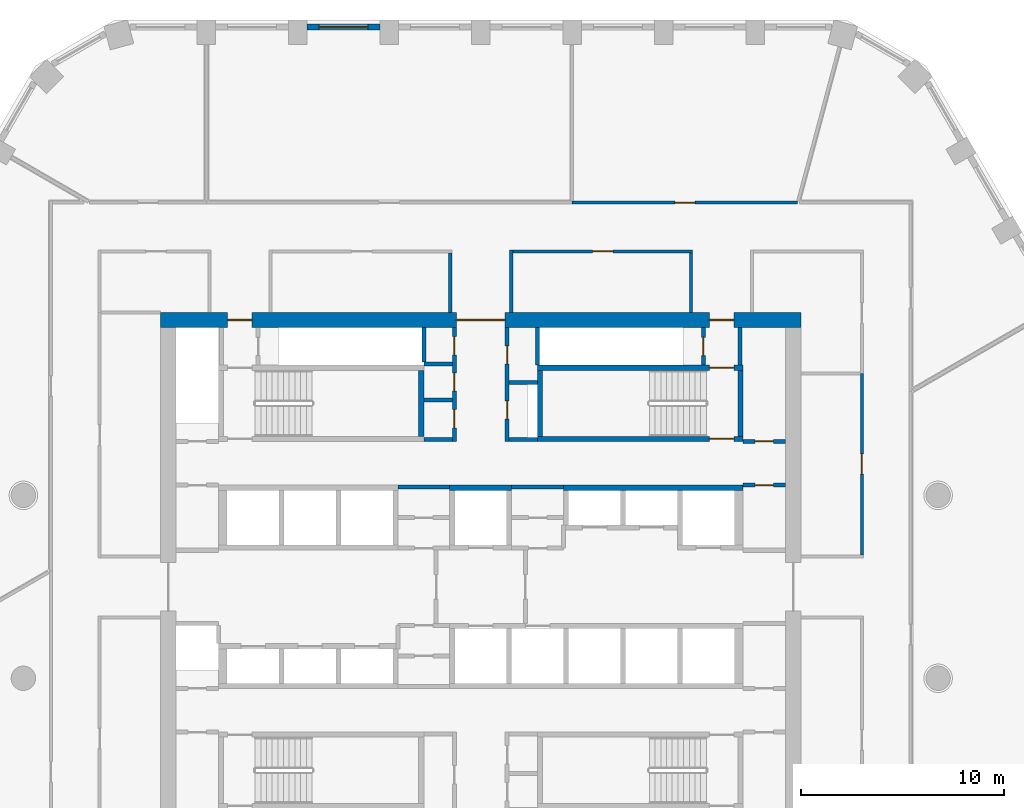
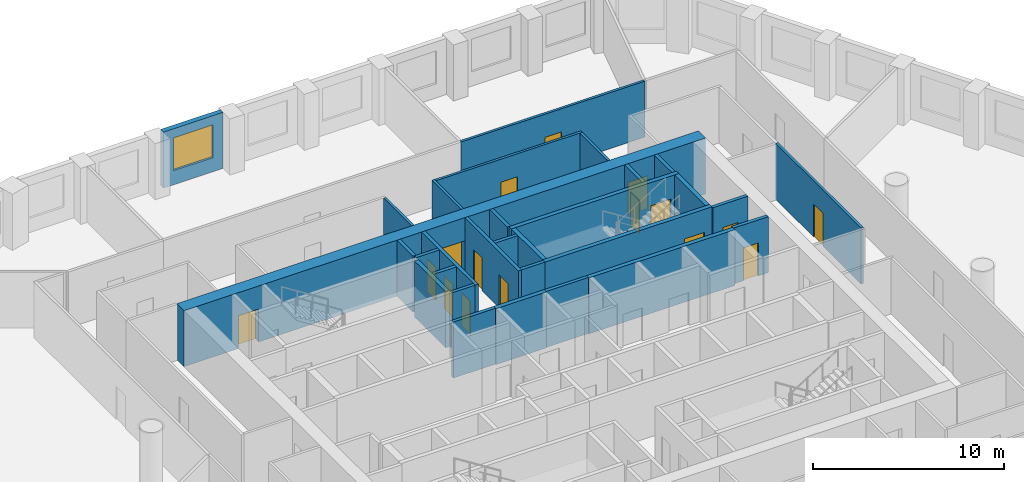
# One storey, part 7 of 14: 30 walls, 16 doors, 1 window, 17 openings.
"""IFC4 building model written with IfcOpenShell, lengths in metres."""

from ifc_helpers import new_model, si_unit, direction, frame, frame_2d, origin, place, context, subcontext, project, spatial, polyline, rectangle, outline, extrude, material, layer, layer_set, type_object, element, fill, save


model = new_model("IFC4")

# Units and contexts
model_context = context("Model", 3, precision=1e-05, world=origin(), true_north=direction((0.0, 1.0)))
body_context = subcontext(model_context, "Body", "Model", "MODEL_VIEW")
ifc_project = project(units=[si_unit("LENGTHUNIT", "METRE"), si_unit("AREAUNIT", "SQUARE_METRE"), si_unit("VOLUMEUNIT", "CUBIC_METRE"), si_unit("PLANEANGLEUNIT", "RADIAN"), si_unit("MASSUNIT", "GRAM", prefix="KILO")], contexts=[model_context])

# Site, building, storey
site_placement = place(None, origin())
site = spatial("IfcSite", under=ifc_project, at=site_placement, CompositionType="ELEMENT")
building_placement = place(site_placement, origin())
building = spatial("IfcBuilding", under=site, at=building_placement, Name="Dhurran Vertical Campus", CompositionType="ELEMENT")
storey_placement = place(building_placement, frame((0.0, 0.0, 140.39990234375)))
storey = spatial("IfcBuildingStorey", under=building, at=storey_placement, Name="L34", CompositionType="ELEMENT", Elevation=140.39990234375)

# Wall, opening, window
ifc_material_1 = material(Name="Precast concrete C50/60", Category="concrete")
ifc_layer_1 = layer(ifc_material_1, 0.300048828125)
ifc_layer_set_1 = layer_set([ifc_layer_1], Name="Precast concrete C50/60")
wall_type_1 = type_object("IfcWallType", Name="Precast spandrel wall 300", PredefinedType="SOLIDWALL", material=ifc_layer_set_1)
wall_1_placement = place(storey_placement, frame((-4.950439453125, 27.53271484375, 0.0), z_axis=(0.0, 0.0, 1.0), x_axis=(-1.0, 0.0, 0.0)))
wall_1 = element("IfcWall", 1, at=wall_1_placement, inside=storey, type_object=wall_type_1, Name="EW1 L34.28", PredefinedType="SOLIDWALL", context=body_context, shape_type="SweptSolid", body=[
    extrude(rectangle(XDim=3.59912109375, YDim=0.300048828125, at=frame_2d((1.799560546875, 0.0))), origin(), (0.0, 0.0, 1.0), 3.5751953125),
])
opening_1_placement = place(wall_1_placement, frame((0.599609375, 0.0, 0.89990234375)))
opening_1 = element("IfcOpeningElement", 2, at=opening_1_placement, cuts=wall_1, Name="Opening WT1", PredefinedType="OPENING", context=body_context, shape_type="SweptSolid", body=[
    extrude(rectangle(XDim=2.39990234375, YDim=2.10009765625, at=frame_2d((1.199951171875, 1.050048828125))), frame((0.0, 0.159912109375, 0.0), z_axis=(0.0, -1.0, 0.0), x_axis=(1.0, 0.0, 0.0)), (0.0, 0.0, 1.0), 0.320068359375),
])
ifc_material_2 = material(Name="Aluminium frame with solar-control glass", Category="aluminium")
window_type = type_object("IfcWindowType", Name="Punched window 2400 x 2100", PartitioningType="SINGLE_PANEL", PredefinedType="WINDOW", material=ifc_material_2)
window_placement = place(opening_1_placement, origin())
window = element("IfcWindow", 3, at=window_placement, inside=storey, type_object=window_type, Name="WT1 L34.28", OverallHeight=2.10009765625, OverallWidth=2.39990234375, PartitioningType="SINGLE_PANEL", PredefinedType="WINDOW", context=body_context, shape_type="SweptSolid", body=[
    extrude(rectangle(XDim=2.39990234375, YDim=2.10009765625, at=frame_2d((1.199951171875, 1.050048828125))), frame((0.0, 0.030029296875, 0.0), z_axis=(0.0, -1.0, 0.0), x_axis=(1.0, 0.0, 0.0)), (0.0, 0.0, 1.0), 0.06005859375),
])
fill(opening_1, window)

# Wall, openings, doors
ifc_material_3 = material(Name="Concrete C60/75", Category="concrete")
ifc_layer_2 = layer(ifc_material_3, 0.75)
ifc_layer_set_2 = layer_set([ifc_layer_2], Name="Concrete C60/75")
wall_type_2 = type_object("IfcWallType", Name="co-CORE-WALL-C1-750", PredefinedType="SHEAR", material=ifc_layer_set_2)
wall_2_placement = place(storey_placement, frame((-15.75, 13.125, 0.0), z_axis=(0.0, 0.0, 1.0), x_axis=(1.0, 0.0, 0.0)))
wall_2 = element("IfcWall", 4, at=wall_2_placement, inside=storey, type_object=wall_type_2, Name="Core wall N L34", PredefinedType="SHEAR", context=body_context, shape_type="SweptSolid", body=[
    extrude(rectangle(XDim=31.5, YDim=0.75, at=frame_2d((15.75, 0.0))), origin(), (0.0, 0.0, 1.0), 3.5751953125),
])
opening_2_placement = place(wall_2_placement, frame((14.550048828125, 0.0, 0.0)))
opening_2 = element("IfcOpeningElement", 5, at=opening_2_placement, cuts=wall_2, Name="Opening CV1", PredefinedType="OPENING", context=body_context, shape_type="SweptSolid", body=[
    extrude(rectangle(XDim=2.39990234375, YDim=2.10009765625, at=frame_2d((1.199951171875, 1.050048828125))), frame((0.0, 0.385009765625, 0.0), z_axis=(0.0, -1.0, 0.0), x_axis=(1.0, 0.0, 0.0)), (0.0, 0.0, 1.0), 0.77001953125),
])
opening_3_placement = place(wall_2_placement, frame((3.300048828125, 0.0, 0.0)))
opening_3 = element("IfcOpeningElement", 6, at=opening_3_placement, cuts=wall_2, Name="Opening XD1", PredefinedType="OPENING", context=body_context, shape_type="SweptSolid", body=[
    extrude(rectangle(XDim=1.199951171875, YDim=2.10009765625, at=frame_2d((0.60009765625, 1.050048828125))), frame((0.0, 0.385009765625, 0.0), z_axis=(0.0, -1.0, 0.0), x_axis=(1.0, 0.0, 0.0)), (0.0, 0.0, 1.0), 0.77001953125),
])
opening_4_placement = place(wall_2_placement, frame((27.0, 0.0, 0.0)))
opening_4 = element("IfcOpeningElement", 7, at=opening_4_placement, cuts=wall_2, Name="Opening XD2", PredefinedType="OPENING", context=body_context, shape_type="SweptSolid", body=[
    extrude(rectangle(XDim=1.199951171875, YDim=2.10009765625, at=frame_2d((0.60009765625, 1.050048828125))), frame((0.0, 0.385009765625, 0.0), z_axis=(0.0, -1.0, 0.0), x_axis=(1.0, 0.0, 0.0)), (0.0, 0.0, 1.0), 0.77001953125),
])
ifc_material_4 = material(Name="Fire-rated glazed door set")
door_type_1 = type_object("IfcDoorType", Name="co-D-LOBBY 2400x2100", OperationType="DOUBLE_DOOR_DOUBLE_SWING", PredefinedType="DOOR", material=ifc_material_4)
door_1_placement = place(opening_2_placement, origin())
door_1 = element("IfcDoor", 8, at=door_1_placement, inside=storey, type_object=door_type_1, Name="Core vestibule door N L34", OperationType="DOUBLE_DOOR_DOUBLE_SWING", OverallHeight=2.10009765625, OverallWidth=2.39990234375, PredefinedType="DOOR", context=body_context, shape_type="SweptSolid", body=[
    extrude(rectangle(XDim=2.39990234375, YDim=2.10009765625, at=frame_2d((1.199951171875, 1.050048828125))), frame((0.0, 0.02490234375, 0.0), z_axis=(0.0, -1.0, 0.0), x_axis=(1.0, 0.0, 0.0)), (0.0, 0.0, 1.0), 0.050048828125),
])
fill(opening_2, door_1)
ifc_material_5 = material(Name="Fire-rated steel door set", Category="steel")
door_type_2 = type_object("IfcDoorType", Name="co-D-STAIR-EXIT 1200x2100", OperationType="SINGLE_SWING_RIGHT", PredefinedType="DOOR", material=ifc_material_5)
door_2_placement = place(opening_3_placement, origin())
door_2 = element("IfcDoor", 9, at=door_2_placement, inside=storey, type_object=door_type_2, Name="Stair ST1 exit door L34", OperationType="SINGLE_SWING_RIGHT", OverallHeight=2.10009765625, OverallWidth=1.199951171875, PredefinedType="DOOR", context=body_context, shape_type="SweptSolid", body=[
    extrude(rectangle(XDim=1.199951171875, YDim=2.10009765625, at=frame_2d((0.60009765625, 1.050048828125))), frame((0.0, 0.02490234375, 0.0), z_axis=(0.0, -1.0, 0.0), x_axis=(1.0, 0.0, 0.0)), (0.0, 0.0, 1.0), 0.050048828125),
])
fill(opening_3, door_2)
door_3_placement = place(opening_4_placement, origin())
door_3 = element("IfcDoor", 10, at=door_3_placement, inside=storey, type_object=door_type_2, Name="Stair ST2 exit door L34", OperationType="SINGLE_SWING_RIGHT", OverallHeight=2.10009765625, OverallWidth=1.199951171875, PredefinedType="DOOR", context=body_context, shape_type="SweptSolid", body=[
    extrude(rectangle(XDim=1.199951171875, YDim=2.10009765625, at=frame_2d((0.60009765625, 1.050048828125))), frame((0.0, 0.02490234375, 0.0), z_axis=(0.0, -1.0, 0.0), x_axis=(1.0, 0.0, 0.0)), (0.0, 0.0, 1.0), 0.050048828125),
])
fill(opening_4, door_3)

# Walls
ifc_material_6 = material(Name="Fire-rated masonry blockwork", Category="masonry")
ifc_layer_3 = layer(ifc_material_6, 0.199951171875)
ifc_layer_set_3 = layer_set([ifc_layer_3], Name="Fire-rated masonry blockwork")
wall_type_3 = type_object("IfcWallType", Name="co-FIRE-PARTITION-200", PredefinedType="PARTITIONING", material=ifc_layer_set_3)
for number, where, z_axis, x_axis, name in (
    (11, (-2.800048828125, 7.25, 0.0), (0.0, 0.0, 1.0), (1.0, 0.0, 0.0), "Core partition sl-NW-S L34"),
    (12, (-2.800048828125, 9.18603515625, 0.0), (0.0, 0.0, 1.0), (1.0, 0.0, 0.0), "Core partition sl-NW-cut0 L34"),
    (13, (-2.800048828125, 10.968017578125, 0.0), (0.0, 0.0, 1.0), (1.0, 0.0, 0.0), "Core partition sl-NW-cut1 L34"),
    (14, (1.39990234375, 7.25, 0.0), (0.0, 0.0, 1.0), (1.0, 0.0, 0.0), "Core partition sl-NE-S L34"),
    (15, (1.39990234375, 10.050048828125, 0.0), (0.0, 0.0, 1.0), (1.0, 0.0, 0.0), "Core partition sl-NE-cut0 L34"),
):
    element("IfcWall", number, at=place(storey_placement, frame(where, z_axis=z_axis, x_axis=x_axis)), inside=storey, type_object=wall_type_3, Name=name, PredefinedType="PARTITIONING", context=body_context, shape_type="SweptSolid", body=[
        extrude(rectangle(XDim=1.400146484375, YDim=0.199951171875, at=frame_2d((0.7001953125, 0.0))), origin(), (0.0, 0.0, 1.0), 3.5751953125),
    ])

# Wall, openings, doors
wall_3_placement = place(storey_placement, frame((-1.300048828125, 7.14990234375, 0.0), z_axis=(0.0, 0.0, 1.0), x_axis=(0.0, 1.0, 0.0)))
wall_3 = element("IfcWall", 16, at=wall_3_placement, inside=storey, type_object=wall_type_3, Name="Core partition vest-NW L34", PredefinedType="PARTITIONING", context=body_context, shape_type="SweptSolid", body=[
    extrude(rectangle(XDim=5.60009765625, YDim=0.199951171875, at=frame_2d((2.800048828125, 0.0))), origin(), (0.0, 0.0, 1.0), 3.5751953125),
])
opening_5_placement = place(wall_3_placement, frame((0.66796875, 0.0, 0.0)))
opening_5 = element("IfcOpeningElement", 17, at=opening_5_placement, cuts=wall_3, Name="Opening T09-C6", PredefinedType="OPENING", context=body_context, shape_type="SweptSolid", body=[
    extrude(rectangle(XDim=0.89990234375, YDim=2.10009765625, at=frame_2d((0.449951171875, 1.050048828125))), frame((0.0, 0.10986328125, 0.0), z_axis=(0.0, -1.0, 0.0), x_axis=(1.0, 0.0, 0.0)), (0.0, 0.0, 1.0), 0.219970703125),
])
opening_6_placement = place(wall_3_placement, frame((2.47705078125, 0.0, 0.0)))
opening_6 = element("IfcOpeningElement", 18, at=opening_6_placement, cuts=wall_3, Name="Opening T09-C7", PredefinedType="OPENING", context=body_context, shape_type="SweptSolid", body=[
    extrude(rectangle(XDim=0.89990234375, YDim=2.10009765625, at=frame_2d((0.449951171875, 1.050048828125))), frame((0.0, 0.10986328125, 0.0), z_axis=(0.0, -1.0, 0.0), x_axis=(1.0, 0.0, 0.0)), (0.0, 0.0, 1.0), 0.219970703125),
])
opening_7_placement = place(wall_3_placement, frame((4.259033203125, 0.0, 0.0)))
opening_7 = element("IfcOpeningElement", 19, at=opening_7_placement, cuts=wall_3, Name="Opening T09-C8", PredefinedType="OPENING", context=body_context, shape_type="SweptSolid", body=[
    extrude(rectangle(XDim=0.89990234375, YDim=2.10009765625, at=frame_2d((0.449951171875, 1.050048828125))), frame((0.0, 0.10986328125, 0.0), z_axis=(0.0, -1.0, 0.0), x_axis=(1.0, 0.0, 0.0)), (0.0, 0.0, 1.0), 0.219970703125),
])
ifc_material_7 = material(Name="Fire-rated timber door set", Category="wood")
door_type_3 = type_object("IfcDoorType", Name="co-D-ROOM 900x2100", OperationType="SINGLE_SWING_LEFT", PredefinedType="DOOR", material=ifc_material_7)
door_4_placement = place(opening_5_placement, origin())
door_4 = element("IfcDoor", 20, at=door_4_placement, inside=storey, type_object=door_type_3, Name="Cleaner's store door L34", OperationType="SINGLE_SWING_LEFT", OverallHeight=2.10009765625, OverallWidth=0.89990234375, PredefinedType="DOOR", context=body_context, shape_type="SweptSolid", body=[
    extrude(rectangle(XDim=0.89990234375, YDim=2.10009765625, at=frame_2d((0.449951171875, 1.050048828125))), frame((0.0, 0.02490234375, 0.0), z_axis=(0.0, -1.0, 0.0), x_axis=(1.0, 0.0, 0.0)), (0.0, 0.0, 1.0), 0.050048828125),
])
fill(opening_5, door_4)
door_5_placement = place(opening_6_placement, origin())
door_5 = element("IfcDoor", 21, at=door_5_placement, inside=storey, type_object=door_type_3, Name="Store door L34", OperationType="SINGLE_SWING_LEFT", OverallHeight=2.10009765625, OverallWidth=0.89990234375, PredefinedType="DOOR", context=body_context, shape_type="SweptSolid", body=[
    extrude(rectangle(XDim=0.89990234375, YDim=2.10009765625, at=frame_2d((0.449951171875, 1.050048828125))), frame((0.0, 0.02490234375, 0.0), z_axis=(0.0, -1.0, 0.0), x_axis=(1.0, 0.0, 0.0)), (0.0, 0.0, 1.0), 0.050048828125),
])
fill(opening_6, door_5)
door_6_placement = place(opening_7_placement, origin())
door_6 = element("IfcDoor", 22, at=door_6_placement, inside=storey, type_object=door_type_3, Name="Housekeeping store door L34", OperationType="SINGLE_SWING_LEFT", OverallHeight=2.10009765625, OverallWidth=0.89990234375, PredefinedType="DOOR", context=body_context, shape_type="SweptSolid", body=[
    extrude(rectangle(XDim=0.89990234375, YDim=2.10009765625, at=frame_2d((0.449951171875, 1.050048828125))), frame((0.0, 0.02490234375, 0.0), z_axis=(0.0, -1.0, 0.0), x_axis=(1.0, 0.0, 0.0)), (0.0, 0.0, 1.0), 0.050048828125),
])
fill(opening_7, door_6)

wall_4_placement = place(storey_placement, frame((1.300048828125, 7.14990234375, 0.0), z_axis=(0.0, 0.0, 1.0), x_axis=(0.0, 1.0, 0.0)))
wall_4 = element("IfcWall", 23, at=wall_4_placement, inside=storey, type_object=wall_type_3, Name="Core partition vest-NE L34", PredefinedType="PARTITIONING", context=body_context, shape_type="SweptSolid", body=[
    extrude(rectangle(XDim=5.60009765625, YDim=0.199951171875, at=frame_2d((2.800048828125, 0.0))), origin(), (0.0, 0.0, 1.0), 3.5751953125),
])
opening_8_placement = place(wall_4_placement, frame((1.10009765625, 0.0, 0.0)))
opening_8 = element("IfcOpeningElement", 24, at=opening_8_placement, cuts=wall_4, Name="Opening T09-C9", PredefinedType="OPENING", context=body_context, shape_type="SweptSolid", body=[
    extrude(rectangle(XDim=0.89990234375, YDim=2.10009765625, at=frame_2d((0.449951171875, 1.050048828125))), frame((0.0, 0.10986328125, 0.0), z_axis=(0.0, -1.0, 0.0), x_axis=(1.0, 0.0, 0.0)), (0.0, 0.0, 1.0), 0.219970703125),
])
opening_9_placement = place(wall_4_placement, frame((3.800048828125, 0.0, 0.0)))
opening_9 = element("IfcOpeningElement", 25, at=opening_9_placement, cuts=wall_4, Name="Opening T09-C10", PredefinedType="OPENING", context=body_context, shape_type="SweptSolid", body=[
    extrude(rectangle(XDim=0.89990234375, YDim=2.10009765625, at=frame_2d((0.449951171875, 1.050048828125))), frame((0.0, 0.10986328125, 0.0), z_axis=(0.0, -1.0, 0.0), x_axis=(1.0, 0.0, 0.0)), (0.0, 0.0, 1.0), 0.219970703125),
])
door_7_placement = place(opening_8_placement, origin())
door_7 = element("IfcDoor", 26, at=door_7_placement, inside=storey, type_object=door_type_3, Name="Water riser door L34", OperationType="SINGLE_SWING_LEFT", OverallHeight=2.10009765625, OverallWidth=0.89990234375, PredefinedType="DOOR", context=body_context, shape_type="SweptSolid", body=[
    extrude(rectangle(XDim=0.89990234375, YDim=2.10009765625, at=frame_2d((0.449951171875, 1.050048828125))), frame((0.0, 0.02490234375, 0.0), z_axis=(0.0, -1.0, 0.0), x_axis=(1.0, 0.0, 0.0)), (0.0, 0.0, 1.0), 0.050048828125),
])
fill(opening_8, door_7)
door_8_placement = place(opening_9_placement, origin())
door_8 = element("IfcDoor", 27, at=door_8_placement, inside=storey, type_object=door_type_3, Name="Plant room door L34", OperationType="SINGLE_SWING_LEFT", OverallHeight=2.10009765625, OverallWidth=0.89990234375, PredefinedType="DOOR", context=body_context, shape_type="SweptSolid", body=[
    extrude(rectangle(XDim=0.89990234375, YDim=2.10009765625, at=frame_2d((0.449951171875, 1.050048828125))), frame((0.0, 0.02490234375, 0.0), z_axis=(0.0, -1.0, 0.0), x_axis=(1.0, 0.0, 0.0)), (0.0, 0.0, 1.0), 0.050048828125),
])
fill(opening_9, door_8)

# Wall
wall_5_placement = place(storey_placement, frame((12.75, 10.89990234375, 0.0), z_axis=(0.0, 0.0, 1.0), x_axis=(0.0, 1.0, 0.0)))
element("IfcWall", 28, at=wall_5_placement, inside=storey, type_object=wall_type_3, Name="Core partition pass-ST2-o L34", PredefinedType="PARTITIONING", context=body_context, shape_type="SweptSolid", body=[
    extrude(rectangle(XDim=1.85009765625, YDim=0.199951171875, at=frame_2d((0.925048828125, 0.0))), origin(), (0.0, 0.0, 1.0), 3.5751953125),
])

# Wall, opening, door
wall_6_placement = place(storey_placement, frame((10.949951171875, 10.89990234375, 0.0), z_axis=(0.0, 0.0, 1.0), x_axis=(0.0, 1.0, 0.0)))
wall_6 = element("IfcWall", 29, at=wall_6_placement, inside=storey, type_object=wall_type_3, Name="Core partition pass-ST2-i L34", PredefinedType="PARTITIONING", context=body_context, shape_type="SweptSolid", body=[
    extrude(rectangle(XDim=1.85009765625, YDim=0.199951171875, at=frame_2d((0.925048828125, 0.0))), origin(), (0.0, 0.0, 1.0), 3.5751953125),
])
opening_10_placement = place(wall_6_placement, frame((0.47509765625, 0.0, 0.0)))
opening_10 = element("IfcOpeningElement", 30, at=opening_10_placement, cuts=wall_6, Name="Opening T09-C12", PredefinedType="OPENING", context=body_context, shape_type="SweptSolid", body=[
    extrude(rectangle(XDim=0.89990234375, YDim=2.10009765625, at=frame_2d((0.449951171875, 1.050048828125))), frame((0.0, 0.10986328125, 0.0), z_axis=(0.0, -1.0, 0.0), x_axis=(1.0, 0.0, 0.0)), (0.0, 0.0, 1.0), 0.219970703125),
])
door_9_placement = place(opening_10_placement, origin())
door_9 = element("IfcDoor", 31, at=door_9_placement, inside=storey, type_object=door_type_3, Name="Riser room door L34", OperationType="SINGLE_SWING_LEFT", OverallHeight=2.10009765625, OverallWidth=0.89990234375, PredefinedType="DOOR", context=body_context, shape_type="SweptSolid", body=[
    extrude(rectangle(XDim=0.89990234375, YDim=2.10009765625, at=frame_2d((0.449951171875, 1.050048828125))), frame((0.0, 0.02490234375, 0.0), z_axis=(0.0, -1.0, 0.0), x_axis=(1.0, 0.0, 0.0)), (0.0, 0.0, 1.0), 0.050048828125),
])
fill(opening_10, door_9)

wall_7_placement = place(storey_placement, frame((12.89990234375, 7.14990234375, 0.0), z_axis=(0.0, 0.0, 1.0), x_axis=(1.0, 0.0, 0.0)))
wall_7 = element("IfcWall", 32, at=wall_7_placement, inside=storey, type_object=wall_type_3, Name="Core partition en-NE-w L34", PredefinedType="PARTITIONING", context=body_context, shape_type="SweptSolid", body=[
    extrude(rectangle(XDim=2.10009765625, YDim=0.199951171875, at=frame_2d((1.050048828125, 0.0))), origin(), (0.0, 0.0, 1.0), 3.5751953125),
])
opening_11_placement = place(wall_7_placement, frame((0.60009765625, 0.0, 0.0)))
opening_11 = element("IfcOpeningElement", 33, at=opening_11_placement, cuts=wall_7, Name="Opening T09-C17", PredefinedType="OPENING", context=body_context, shape_type="SweptSolid", body=[
    extrude(rectangle(XDim=0.89990234375, YDim=2.10009765625, at=frame_2d((0.449951171875, 1.050048828125))), frame((0.0, 0.10986328125, 0.0), z_axis=(0.0, -1.0, 0.0), x_axis=(1.0, 0.0, 0.0)), (0.0, 0.0, 1.0), 0.219970703125),
])
door_10_placement = place(opening_11_placement, origin())
door_10 = element("IfcDoor", 34, at=door_10_placement, inside=storey, type_object=door_type_3, Name="Server room door L34", OperationType="SINGLE_SWING_LEFT", OverallHeight=2.10009765625, OverallWidth=0.89990234375, PredefinedType="DOOR", context=body_context, shape_type="SweptSolid", body=[
    extrude(rectangle(XDim=0.89990234375, YDim=2.10009765625, at=frame_2d((0.449951171875, 1.050048828125))), frame((0.0, 0.02490234375, 0.0), z_axis=(0.0, -1.0, 0.0), x_axis=(1.0, 0.0, 0.0)), (0.0, 0.0, 1.0), 0.050048828125),
])
fill(opening_11, door_10)

wall_8_placement = place(storey_placement, frame((12.89990234375, 5.0, 0.0), z_axis=(0.0, 0.0, 1.0), x_axis=(1.0, 0.0, 0.0)))
wall_8 = element("IfcWall", 35, at=wall_8_placement, inside=storey, type_object=wall_type_3, Name="Core partition es-NE-w L34", PredefinedType="PARTITIONING", context=body_context, shape_type="SweptSolid", body=[
    extrude(rectangle(XDim=2.10009765625, YDim=0.199951171875, at=frame_2d((1.050048828125, 0.0))), origin(), (0.0, 0.0, 1.0), 3.5751953125),
])
opening_12_placement = place(wall_8_placement, frame((0.60009765625, 0.0, 0.0)))
opening_12 = element("IfcOpeningElement", 36, at=opening_12_placement, cuts=wall_8, Name="Opening T09-C18", PredefinedType="OPENING", context=body_context, shape_type="SweptSolid", body=[
    extrude(rectangle(XDim=0.89990234375, YDim=2.10009765625, at=frame_2d((0.449951171875, 1.050048828125))), frame((0.0, 0.10986328125, 0.0), z_axis=(0.0, -1.0, 0.0), x_axis=(1.0, 0.0, 0.0)), (0.0, 0.0, 1.0), 0.219970703125),
])
door_11_placement = place(opening_12_placement, origin())
door_11 = element("IfcDoor", 37, at=door_11_placement, inside=storey, type_object=door_type_3, Name="Communications room door L34", OperationType="SINGLE_SWING_LEFT", OverallHeight=2.10009765625, OverallWidth=0.89990234375, PredefinedType="DOOR", context=body_context, shape_type="SweptSolid", body=[
    extrude(rectangle(XDim=0.89990234375, YDim=2.10009765625, at=frame_2d((0.449951171875, 1.050048828125))), frame((0.0, 0.02490234375, 0.0), z_axis=(0.0, -1.0, 0.0), x_axis=(1.0, 0.0, 0.0)), (0.0, 0.0, 1.0), 0.050048828125),
])
fill(opening_12, door_11)

# Walls
for number, where, z_axis, x_axis, name in (
    (38, (-4.074951171875, 4.89990234375, 0.0), (0.0, 0.0, 1.0), (1.0, 0.0, 0.0), "Core partition fr-N0-b L34"),
    (39, (1.52490234375, 4.89990234375, 0.0), (0.0, 0.0, 1.0), (1.0, 0.0, 0.0), "Core partition fr-N1-b L34"),
):
    element("IfcWall", number, at=place(storey_placement, frame(where, z_axis=z_axis, x_axis=x_axis)), inside=storey, type_object=wall_type_3, Name=name, PredefinedType="PARTITIONING", context=body_context, shape_type="SweptSolid", body=[
        extrude(rectangle(XDim=2.550048828125, YDim=0.199951171875, at=frame_2d((1.27490234375, 0.0))), origin(), (0.0, 0.0, 1.0), 3.5751953125),
    ])
wall_9_placement = place(storey_placement, frame((-2.800048828125, 11.069091796875, 0.0), z_axis=(0.0, 0.0, 1.0), x_axis=(0.0, 1.0, 0.0)))
element("IfcWall", 40, at=wall_9_placement, inside=storey, type_object=wall_type_3, Name="Riser enclosure wall L34", PredefinedType="PARTITIONING", context=body_context, shape_type="SweptSolid", body=[
    extrude(rectangle(XDim=1.679931640625, YDim=0.199951171875, at=frame_2d((0.83984375, 0.0))), origin(), (0.0, 0.0, 1.0), 3.5751953125),
])
wall_10_placement = place(storey_placement, frame((2.800048828125, 12.7490234375, 0.0), z_axis=(0.0, 0.0, 1.0), x_axis=(0.0, -1.0, 0.0)))
element("IfcWall", 41, at=wall_10_placement, inside=storey, type_object=wall_type_3, Name="Riser enclosure wall L34", PredefinedType="PARTITIONING", context=body_context, shape_type="SweptSolid", body=[
    extrude(rectangle(XDim=1.84814453125, YDim=0.199951171875, at=frame_2d((0.924072265625, 0.0))), origin(), (0.0, 0.0, 1.0), 3.5751953125),
])
ifc_material_8 = material(Name="Concrete C50/60", Category="concrete")
ifc_layer_4 = layer(ifc_material_8, 0.25)
ifc_layer_set_4 = layer_set([ifc_layer_4], Name="Concrete C50/60")
wall_type_4 = type_object("IfcWallType", Name="co-SHAFT-MASS-250", PredefinedType="SHEAR", material=ifc_layer_set_4)
wall_11_placement = place(storey_placement, origin())
element("IfcWall", 42, at=wall_11_placement, inside=storey, type_object=wall_type_4, Name="Lift shaft wall N L34 2", PredefinedType="SHEAR", context=body_context, shape_type="SweptSolid", body=[
    extrude(outline(polyline([(-1.52490234375, 4.75), (1.52490234375, 4.75), (1.52490234375, 5.0), (-1.52490234375, 5.0), (-1.52490234375, 4.75)])), origin(), (0.0, 0.0, 1.0), 3.5751953125),
])
wall_12_placement = place(storey_placement, origin())
element("IfcWall", 43, at=wall_12_placement, inside=storey, type_object=wall_type_4, Name="Lift shaft wall N L34 3", PredefinedType="SHEAR", context=body_context, shape_type="SweptSolid", body=[
    extrude(outline(polyline([(4.074951171875, 4.75), (12.89990234375, 4.75), (12.89990234375, 5.0), (4.074951171875, 5.0), (4.074951171875, 4.75)])), origin(), (0.0, 0.0, 1.0), 3.5751953125),
])
ifc_material_9 = material(Name="Concrete C40/50", Category="concrete")
ifc_layer_5 = layer(ifc_material_9, 0.25)
ifc_layer_set_5 = layer_set([ifc_layer_5], Name="Concrete C40/50")
wall_type_5 = type_object("IfcWallType", Name="co-STAIR-WALL-250", PredefinedType="SHEAR", material=ifc_layer_set_5)
wall_13_placement = place(storey_placement, frame((-2.925048828125, 7.39990234375, 0.0), z_axis=(0.0, 0.0, 1.0), x_axis=(0.0, 1.0, 0.0)))
element("IfcWall", 44, at=wall_13_placement, inside=storey, type_object=wall_type_5, Name="Stair ST1 enclosure wall L34", PredefinedType="SHEAR", context=body_context, shape_type="SweptSolid", body=[
    extrude(rectangle(XDim=3.25, YDim=0.25, at=frame_2d((1.625, 0.0))), origin(), (0.0, 0.0, 1.0), 3.5751953125),
])

# Wall, opening, door
wall_14_placement = place(storey_placement, frame((2.800048828125, 7.27490234375, 0.0), z_axis=(0.0, 0.0, 1.0), x_axis=(1.0, 0.0, 0.0)))
wall_14 = element("IfcWall", 45, at=wall_14_placement, inside=storey, type_object=wall_type_5, Name="Stair ST2 enclosure wall L34", PredefinedType="SHEAR", context=body_context, shape_type="SweptSolid", body=[
    extrude(rectangle(XDim=10.099853515625, YDim=0.25, at=frame_2d((5.0498046875, 0.0))), origin(), (0.0, 0.0, 1.0), 3.5751953125),
])
opening_13_placement = place(wall_14_placement, frame((8.449951171875, 0.0, 0.0)))
opening_13 = element("IfcOpeningElement", 46, at=opening_13_placement, cuts=wall_14, Name="Opening SD2", PredefinedType="OPENING", context=body_context, shape_type="SweptSolid", body=[
    extrude(rectangle(XDim=1.199951171875, YDim=2.10009765625, at=frame_2d((0.60009765625, 1.050048828125))), frame((0.0, 0.135009765625, 0.0), z_axis=(0.0, -1.0, 0.0), x_axis=(1.0, 0.0, 0.0)), (0.0, 0.0, 1.0), 0.27001953125),
])
ifc_material_10 = material(Name="Fire-rated steel door set", Category="steel")
door_type_4 = type_object("IfcDoorType", Name="co-D-STAIR 1200x2100", OperationType="SINGLE_SWING_LEFT", PredefinedType="DOOR", material=ifc_material_10)
door_12_placement = place(opening_13_placement, origin())
door_12 = element("IfcDoor", 47, at=door_12_placement, inside=storey, type_object=door_type_4, Name="Stair ST2 door L34", OperationType="SINGLE_SWING_LEFT", OverallHeight=2.10009765625, OverallWidth=1.199951171875, PredefinedType="DOOR", context=body_context, shape_type="SweptSolid", body=[
    extrude(rectangle(XDim=1.199951171875, YDim=2.10009765625, at=frame_2d((0.60009765625, 1.050048828125))), frame((0.0, 0.02490234375, 0.0), z_axis=(0.0, -1.0, 0.0), x_axis=(1.0, 0.0, 0.0)), (0.0, 0.0, 1.0), 0.050048828125),
])
fill(opening_13, door_12)

wall_15_placement = place(storey_placement, frame((2.800048828125, 10.77490234375, 0.0), z_axis=(0.0, 0.0, 1.0), x_axis=(1.0, 0.0, 0.0)))
wall_15 = element("IfcWall", 48, at=wall_15_placement, inside=storey, type_object=wall_type_5, Name="Stair ST2 enclosure wall L34", PredefinedType="SHEAR", context=body_context, shape_type="SweptSolid", body=[
    extrude(rectangle(XDim=10.099853515625, YDim=0.25, at=frame_2d((5.0498046875, 0.0))), origin(), (0.0, 0.0, 1.0), 3.5751953125),
])
opening_14_placement = place(wall_15_placement, frame((8.449951171875, 0.0, 0.0)))
opening_14 = element("IfcOpeningElement", 49, at=opening_14_placement, cuts=wall_15, Name="Opening XS2", PredefinedType="OPENING", context=body_context, shape_type="SweptSolid", body=[
    extrude(rectangle(XDim=1.199951171875, YDim=2.10009765625, at=frame_2d((0.60009765625, 1.050048828125))), frame((0.0, 0.135009765625, 0.0), z_axis=(0.0, -1.0, 0.0), x_axis=(1.0, 0.0, 0.0)), (0.0, 0.0, 1.0), 0.27001953125),
])
door_13_placement = place(opening_14_placement, origin())
door_13 = element("IfcDoor", 50, at=door_13_placement, inside=storey, type_object=door_type_2, Name="Stair ST2 discharge door L34", OperationType="SINGLE_SWING_RIGHT", OverallHeight=2.10009765625, OverallWidth=1.199951171875, PredefinedType="DOOR", context=body_context, shape_type="SweptSolid", body=[
    extrude(rectangle(XDim=1.199951171875, YDim=2.10009765625, at=frame_2d((0.60009765625, 1.050048828125))), frame((0.0, 0.02490234375, 0.0), z_axis=(0.0, -1.0, 0.0), x_axis=(1.0, 0.0, 0.0)), (0.0, 0.0, 1.0), 0.050048828125),
])
fill(opening_14, door_13)

# Walls
for number, where, z_axis, x_axis, name in (
    (51, (2.925048828125, 7.39990234375, 0.0), (0.0, 0.0, 1.0), (0.0, 1.0, 0.0), "Stair ST2 enclosure wall L34"),
    (52, (12.77490234375, 7.39990234375, 0.0), (0.0, 0.0, 1.0), (0.0, 1.0, 0.0), "Stair ST2 enclosure wall L34"),
):
    element("IfcWall", number, at=place(storey_placement, frame(where, z_axis=z_axis, x_axis=x_axis)), inside=storey, type_object=wall_type_5, Name=name, PredefinedType="SHEAR", context=body_context, shape_type="SweptSolid", body=[
        extrude(rectangle(XDim=3.25, YDim=0.25, at=frame_2d((1.625, 0.0))), origin(), (0.0, 0.0, 1.0), 3.5751953125),
    ])
ifc_material_11 = material(Name="Gypsum board corridor wall on steel studs", Category="steel")
ifc_layer_6 = layer(ifc_material_11, 0.14990234375)
ifc_layer_set_6 = layer_set([ifc_layer_6], Name="Gypsum board corridor wall on steel studs")
wall_type_6 = type_object("IfcWallType", Name="fl-CW-150 corridor wall", PredefinedType="PARTITIONING", material=ifc_layer_set_6)
wall_16_placement = place(storey_placement, frame((-1.5, 16.425048828125, 0.0), z_axis=(0.0, 0.0, 1.0), x_axis=(0.0, -1.0, 0.0)))
element("IfcWall", 53, at=wall_16_placement, inside=storey, type_object=wall_type_6, Name="Partition 34-33", PredefinedType="PARTITIONING", context=body_context, shape_type="SweptSolid", body=[
    extrude(rectangle(XDim=2.925048828125, YDim=0.14990234375, at=frame_2d((1.46240234375, 0.0))), origin(), (0.0, 0.0, 1.0), 3.5751953125),
])
wall_17_placement = place(storey_placement, frame((1.5, 13.5, 0.0), z_axis=(0.0, 0.0, 1.0), x_axis=(0.0, 1.0, 0.0)))
element("IfcWall", 54, at=wall_17_placement, inside=storey, type_object=wall_type_6, Name="Partition 34-36", PredefinedType="PARTITIONING", context=body_context, shape_type="SweptSolid", body=[
    extrude(rectangle(XDim=3.074951171875, YDim=0.14990234375, at=frame_2d((1.53759765625, 0.0))), origin(), (0.0, 0.0, 1.0), 3.5751953125),
])

# Wall, opening, door
wall_18_placement = place(storey_placement, frame((1.574951171875, 16.5, 0.0), z_axis=(0.0, 0.0, 1.0), x_axis=(1.0, 0.0, 0.0)))
wall_18 = element("IfcWall", 55, at=wall_18_placement, inside=storey, type_object=wall_type_6, Name="Partition 34-37", PredefinedType="PARTITIONING", context=body_context, shape_type="SweptSolid", body=[
    extrude(rectangle(XDim=8.85009765625, YDim=0.14990234375, at=frame_2d((4.425048828125, 0.0))), origin(), (0.0, 0.0, 1.0), 3.5751953125),
])
opening_15_placement = place(wall_18_placement, frame((3.925048828125, 0.0, 0.0)))
opening_15 = element("IfcOpeningElement", 56, at=opening_15_placement, cuts=wall_18, Name="Opening T09.15", PredefinedType="OPENING", context=body_context, shape_type="SweptSolid", body=[
    extrude(rectangle(XDim=1.0, YDim=2.10009765625, at=frame_2d((0.5, 1.050048828125))), frame((0.0, 0.0849609375, 0.0), z_axis=(0.0, -1.0, 0.0), x_axis=(1.0, 0.0, 0.0)), (0.0, 0.0, 1.0), 0.169921875),
])
ifc_material_12 = material(Name="Solid-core timber door set, fire-rated", Category="wood")
door_type_5 = type_object("IfcDoorType", Name="fl-D-1000x2100", OperationType="SINGLE_SWING_LEFT", PredefinedType="DOOR", material=ifc_material_12)
door_14_placement = place(opening_15_placement, origin())
door_14 = element("IfcDoor", 57, at=door_14_placement, inside=storey, type_object=door_type_5, Name="Door 34.15", OperationType="SINGLE_SWING_RIGHT", OverallHeight=2.10009765625, OverallWidth=1.0, PredefinedType="DOOR", context=body_context, shape_type="SweptSolid", body=[
    extrude(rectangle(XDim=1.0, YDim=2.10009765625, at=frame_2d((0.5, 1.050048828125))), frame((0.0, 0.02490234375, 0.0), z_axis=(0.0, -1.0, 0.0), x_axis=(1.0, 0.0, 0.0)), (0.0, 0.0, 1.0), 0.050048828125),
])
fill(opening_15, door_14)

wall_19_placement = place(storey_placement, frame((15.593017578125, 18.89990234375, 0.0), z_axis=(0.0, 0.0, 1.0), x_axis=(-1.0, 0.0, 0.0)))
wall_19 = element("IfcWall", 58, at=wall_19_placement, inside=storey, type_object=wall_type_6, Name="Partition 34-39", PredefinedType="PARTITIONING", context=body_context, shape_type="SweptSolid", body=[
    extrude(rectangle(XDim=11.093017578125, YDim=0.14990234375, at=frame_2d((5.54638671875, 0.0))), origin(), (0.0, 0.0, 1.0), 3.5751953125),
])
opening_16_placement = place(wall_19_placement, frame((5.04638671875, 0.0, 0.0)))
opening_16 = element("IfcOpeningElement", 59, at=opening_16_placement, cuts=wall_19, Name="Opening T09.16", PredefinedType="OPENING", context=body_context, shape_type="SweptSolid", body=[
    extrude(rectangle(XDim=1.0, YDim=2.10009765625, at=frame_2d((0.5, 1.050048828125))), frame((0.0, 0.0849609375, 0.0), z_axis=(0.0, -1.0, 0.0), x_axis=(1.0, 0.0, 0.0)), (0.0, 0.0, 1.0), 0.169921875),
])
door_15_placement = place(opening_16_placement, origin())
door_15 = element("IfcDoor", 60, at=door_15_placement, inside=storey, type_object=door_type_5, Name="Door 34.16", OperationType="SINGLE_SWING_LEFT", OverallHeight=2.10009765625, OverallWidth=1.0, PredefinedType="DOOR", context=body_context, shape_type="SweptSolid", body=[
    extrude(rectangle(XDim=1.0, YDim=2.10009765625, at=frame_2d((0.5, 1.050048828125))), frame((0.0, 0.02490234375, 0.0), z_axis=(0.0, -1.0, 0.0), x_axis=(1.0, 0.0, 0.0)), (0.0, 0.0, 1.0), 0.050048828125),
])
fill(opening_16, door_15)

# Wall
wall_20_placement = place(storey_placement, frame((10.35009765625, 16.425048828125, 0.0), z_axis=(0.0, 0.0, 1.0), x_axis=(0.0, -1.0, 0.0)))
element("IfcWall", 61, at=wall_20_placement, inside=storey, type_object=wall_type_6, Name="Partition 34-41", PredefinedType="PARTITIONING", context=body_context, shape_type="SweptSolid", body=[
    extrude(rectangle(XDim=2.925048828125, YDim=0.14990234375, at=frame_2d((1.46240234375, 0.0))), origin(), (0.0, 0.0, 1.0), 3.5751953125),
])

# Wall, opening, door
wall_21_placement = place(storey_placement, frame((18.75, 10.5, 0.0), z_axis=(0.0, 0.0, 1.0), x_axis=(0.0, -1.0, 0.0)))
wall_21 = element("IfcWall", 62, at=wall_21_placement, inside=storey, type_object=wall_type_6, Name="Partition 34-56", PredefinedType="PARTITIONING", context=body_context, shape_type="SweptSolid", body=[
    extrude(rectangle(XDim=8.925048828125, YDim=0.14990234375, at=frame_2d((4.46240234375, 0.0))), origin(), (0.0, 0.0, 1.0), 3.5751953125),
])
opening_17_placement = place(wall_21_placement, frame((3.96240234375, 0.0, 0.0)))
opening_17 = element("IfcOpeningElement", 63, at=opening_17_placement, cuts=wall_21, Name="Opening T09.20", PredefinedType="OPENING", context=body_context, shape_type="SweptSolid", body=[
    extrude(rectangle(XDim=1.0, YDim=2.10009765625, at=frame_2d((0.5, 1.050048828125))), frame((0.0, 0.0849609375, 0.0), z_axis=(0.0, -1.0, 0.0), x_axis=(1.0, 0.0, 0.0)), (0.0, 0.0, 1.0), 0.169921875),
])
door_16_placement = place(opening_17_placement, origin())
door_16 = element("IfcDoor", 64, at=door_16_placement, inside=storey, type_object=door_type_5, Name="Door 34.20", OperationType="SINGLE_SWING_RIGHT", OverallHeight=2.10009765625, OverallWidth=1.0, PredefinedType="DOOR", context=body_context, shape_type="SweptSolid", body=[
    extrude(rectangle(XDim=1.0, YDim=2.10009765625, at=frame_2d((0.5, 1.050048828125))), frame((0.0, 0.02490234375, 0.0), z_axis=(0.0, -1.0, 0.0), x_axis=(1.0, 0.0, 0.0)), (0.0, 0.0, 1.0), 0.050048828125),
])
fill(opening_17, door_16)

save(model, "model.ifc")
